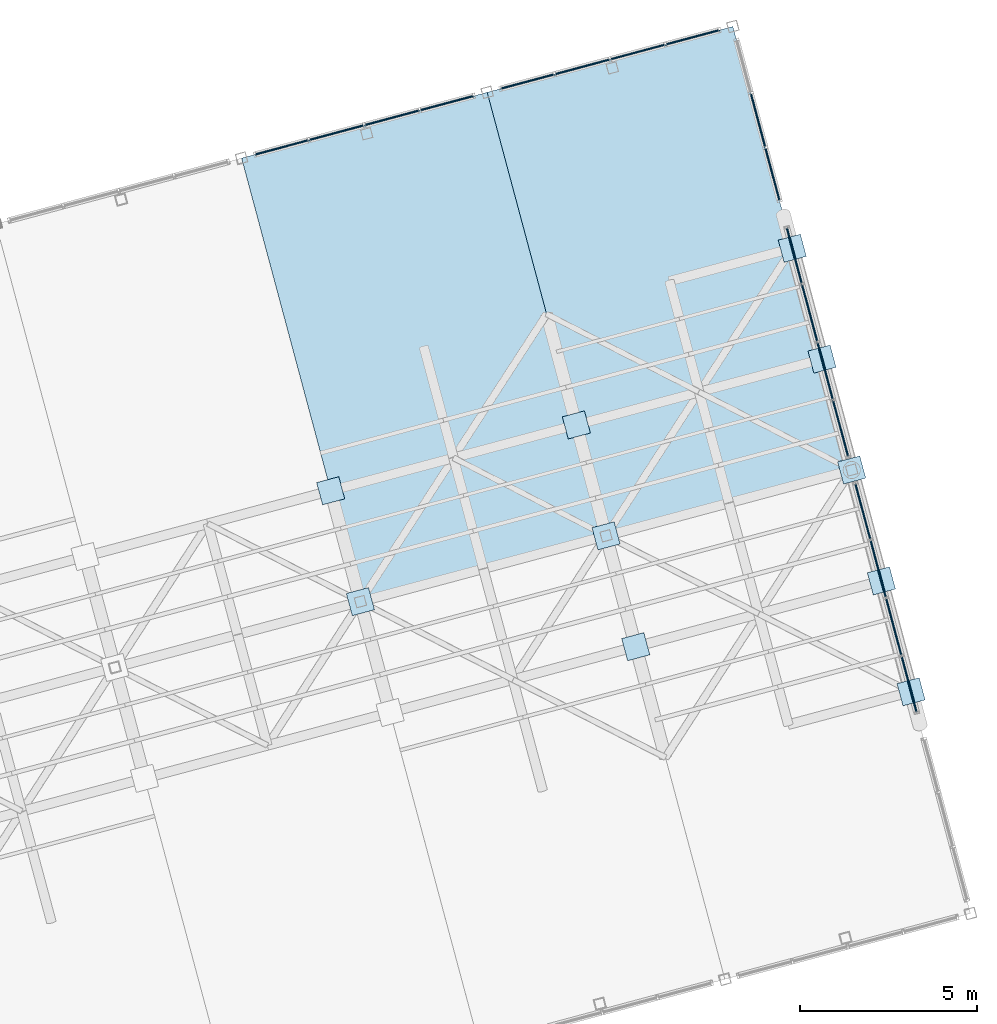
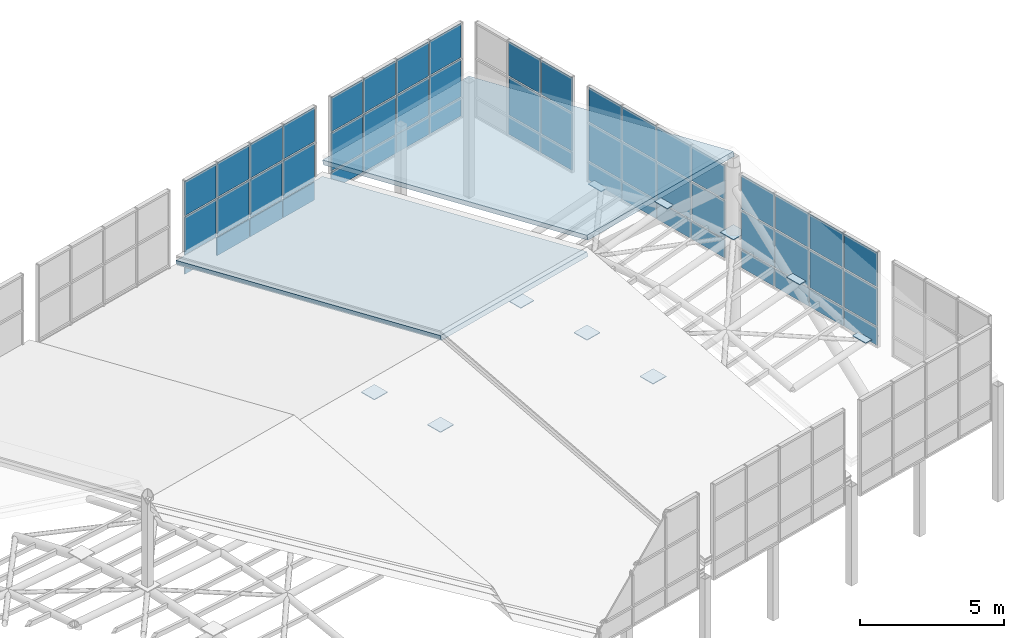
# One storey, part 26 of 28: 64 plates, 2 slabs, 5 elements without a shape of their own.
"""IFC4 building model written with IfcOpenShell, lengths in metres."""

from ifc_helpers import new_model, si_unit, direction, frame, origin, origin_2d, place, context, subcontext, project, spatial, polyline, rectangle, outline, extrude, material, layer, layer_set, type_object, element, aggregate, save


model = new_model("IFC4")

# Units and contexts
model_context = context("Model", 3, precision=1e-05, world=origin(), true_north=direction((0.0, 1.0)))
body_context = subcontext(model_context, "Body", "Model", "MODEL_VIEW")
ifc_project = project(units=[si_unit("LENGTHUNIT", "METRE"), si_unit("AREAUNIT", "SQUARE_METRE"), si_unit("VOLUMEUNIT", "CUBIC_METRE"), si_unit("PLANEANGLEUNIT", "RADIAN"), si_unit("MASSUNIT", "GRAM", prefix="KILO")], contexts=[model_context])

# Site, building, storey
site_placement = place(None, origin())
site = spatial("IfcSite", under=ifc_project, at=site_placement, CompositionType="ELEMENT")
building_placement = place(site_placement, origin())
building = spatial("IfcBuilding", under=site, at=building_placement, Name="Ventoquebrada Cableway Terminal", CompositionType="ELEMENT")
storey_placement = place(building_placement, frame((0.0, 0.0, 23.39990234375)))
storey = spatial("IfcBuildingStorey", under=building, at=storey_placement, Name="RF", CompositionType="ELEMENT", Elevation=23.39990234375)

# Curtain wall, plates
ifc_material_1 = material(Name="Anodized thermally-broken aluminium", Category="aluminium")
ifc_layer_1 = layer(ifc_material_1, 0.159912109375)
ifc_layer_set_1 = layer_set([ifc_layer_1], Name="Anodized thermally-broken aluminium")
curtain_wall_type_1 = type_object("IfcCurtainWallType", Name="CW-T48", PredefinedType="USERDEFINED", material=ifc_layer_set_1)
curtain_wall_1_placement = place(storey_placement, origin())
curtain_wall_1 = element("IfcCurtainWall", 1, at=curtain_wall_1_placement, inside=storey, type_object=curtain_wall_type_1, Name="Unitised glazed curtain wall CW-159", ObjectType="UNITISED CURTAIN WALL", PredefinedType="USERDEFINED")
ifc_material_2 = material(Name="Double low-e laminated safety glazing", Category="glass")
ifc_layer_2 = layer(ifc_material_2, 0.031982421875)
ifc_layer_set_2 = layer_set([ifc_layer_2], Name="Double low-e laminated safety glazing")
plate_type_1 = type_object("IfcPlateType", Name="CWP-GL1", PredefinedType="CURTAIN_PANEL", material=ifc_layer_set_2)
plate_1_placement = place(storey_placement, frame((71.927978515625, 102.047119140625, 2.48876953125), z_axis=(0.0, 0.0, 1.0), x_axis=(-0.965894198369, -0.258937053273, 0.0)))
plate_1 = element("IfcPlate", 2, at=plate_1_placement, type_object=plate_type_1, Name="Vision glazing panel PN-1641", PredefinedType="CURTAIN_PANEL", context=body_context, shape_type="SweptSolid", body=[
    extrude(rectangle(XDim=1.5458984375, YDim=0.031982421875, at=origin_2d()), origin(), (0.0, 0.0, 1.0), 1.447021484375),
])
plate_2_placement = place(storey_placement, frame((70.375, 101.631103515625, 0.82470703125), z_axis=(0.0, 0.0, 1.0), x_axis=(-0.965894198369, -0.258937053273, 0.0)))
plate_2 = element("IfcPlate", 3, at=plate_2_placement, type_object=plate_type_1, Name="Vision glazing panel PN-1643", PredefinedType="CURTAIN_PANEL", context=body_context, shape_type="SweptSolid", body=[
    extrude(rectangle(XDim=1.5810546875, YDim=0.031982421875, at=origin_2d()), origin(), (0.0, 0.0, 1.0), 1.60498046875),
])
plate_3_placement = place(storey_placement, frame((68.804931640625, 101.2099609375, 2.48876953125), z_axis=(0.0, 0.0, 1.0), x_axis=(-0.965894198369, -0.258937053273, 0.0)))
plate_3 = element("IfcPlate", 4, at=plate_3_placement, type_object=plate_type_1, Name="Vision glazing panel PN-1647", PredefinedType="CURTAIN_PANEL", context=body_context, shape_type="SweptSolid", body=[
    extrude(rectangle(XDim=1.5810546875, YDim=0.031982421875, at=origin_2d()), origin(), (0.0, 0.0, 1.0), 1.447021484375),
])
plate_4_placement = place(storey_placement, frame((67.251953125, 100.7939453125, 0.82470703125), z_axis=(0.0, 0.0, 1.0), x_axis=(-0.965894198369, -0.258937053273, 0.0)))
plate_4 = element("IfcPlate", 5, at=plate_4_placement, type_object=plate_type_1, Name="Vision glazing panel PN-1649", PredefinedType="CURTAIN_PANEL", context=body_context, shape_type="SweptSolid", body=[
    extrude(rectangle(XDim=1.5458984375, YDim=0.031982421875, at=origin_2d()), origin(), (0.0, 0.0, 1.0), 1.60498046875),
])

curtain_wall_2_placement = place(storey_placement, origin())
curtain_wall_2 = element("IfcCurtainWall", 6, at=curtain_wall_2_placement, inside=storey, type_object=curtain_wall_type_1, Name="Unitised glazed curtain wall CW-160", ObjectType="UNITISED CURTAIN WALL", PredefinedType="USERDEFINED")
plate_5_placement = place(storey_placement, frame((78.882080078125, 103.909912109375, 2.48876953125), z_axis=(0.0, 0.0, 1.0), x_axis=(-0.965943892913, -0.258751610128, 0.0)))
plate_5 = element("IfcPlate", 7, at=plate_5_placement, type_object=plate_type_1, Name="Vision glazing panel PN-1653", PredefinedType="CURTAIN_PANEL", context=body_context, shape_type="SweptSolid", body=[
    extrude(rectangle(XDim=1.5458984375, YDim=0.031982421875, at=origin_2d()), origin(), (0.0, 0.0, 1.0), 1.447021484375),
])
plate_6_placement = place(storey_placement, frame((77.3291015625, 103.493896484375, 0.82470703125), z_axis=(0.0, 0.0, 1.0), x_axis=(-0.965943892913, -0.258751610128, 0.0)))
plate_6 = element("IfcPlate", 8, at=plate_6_placement, type_object=plate_type_1, Name="Vision glazing panel PN-1655", PredefinedType="CURTAIN_PANEL", context=body_context, shape_type="SweptSolid", body=[
    extrude(rectangle(XDim=1.5810546875, YDim=0.031982421875, at=origin_2d()), origin(), (0.0, 0.0, 1.0), 1.60498046875),
])
plate_7_placement = place(storey_placement, frame((75.760009765625, 103.073974609375, 2.48876953125), z_axis=(0.0, 0.0, 1.0), x_axis=(-0.965943892913, -0.258751610128, 0.0)))
plate_7 = element("IfcPlate", 9, at=plate_7_placement, type_object=plate_type_1, Name="Vision glazing panel PN-1659", PredefinedType="CURTAIN_PANEL", context=body_context, shape_type="SweptSolid", body=[
    extrude(rectangle(XDim=1.5810546875, YDim=0.031982421875, at=origin_2d()), origin(), (0.0, 0.0, 1.0), 1.447021484375),
])
plate_8_placement = place(storey_placement, frame((74.20703125, 102.657958984375, 0.82470703125), z_axis=(0.0, 0.0, 1.0), x_axis=(-0.965943892913, -0.258751610128, 0.0)))
plate_8 = element("IfcPlate", 10, at=plate_8_placement, type_object=plate_type_1, Name="Vision glazing panel PN-1661", PredefinedType="CURTAIN_PANEL", context=body_context, shape_type="SweptSolid", body=[
    extrude(rectangle(XDim=1.5458984375, YDim=0.031982421875, at=origin_2d()), origin(), (0.0, 0.0, 1.0), 1.60498046875),
])

ifc_layer_3 = layer(ifc_material_1, 0.159912109375)
ifc_layer_set_3 = layer_set([ifc_layer_3], Name="Anodized thermally-broken aluminium")
curtain_wall_type_2 = type_object("IfcCurtainWallType", Name="CW-T50", PredefinedType="USERDEFINED", material=ifc_layer_set_3)
curtain_wall_3_placement = place(storey_placement, origin())
curtain_wall_3 = element("IfcCurtainWall", 11, at=curtain_wall_3_placement, inside=storey, type_object=curtain_wall_type_2, Name="Unitised glazed curtain wall CW-166", ObjectType="UNITISED CURTAIN WALL", PredefinedType="USERDEFINED")
plate_9_placement = place(storey_placement, frame((85.011962890625, 85.590087890625, 2.48876953125), z_axis=(0.0, 0.0, 1.0), x_axis=(-0.258802186477, 0.965930343386, 0.0)))
plate_9 = element("IfcPlate", 12, at=plate_9_placement, type_object=plate_type_1, Name="Vision glazing panel PN-1716", PredefinedType="CURTAIN_PANEL", context=body_context, shape_type="SweptSolid", body=[
    extrude(rectangle(XDim=1.62109375, YDim=0.031982421875, at=origin_2d()), origin(), (0.0, 0.0, 1.0), 1.447021484375),
])
plate_10_placement = place(storey_placement, frame((84.576904296875, 87.215087890625, 0.82470703125), z_axis=(0.0, 0.0, 1.0), x_axis=(-0.258802186477, 0.965930343386, 0.0)))
plate_10 = element("IfcPlate", 13, at=plate_10_placement, type_object=plate_type_1, Name="Vision glazing panel PN-1718", PredefinedType="CURTAIN_PANEL", context=body_context, shape_type="SweptSolid", body=[
    extrude(rectangle(XDim=1.656005859375, YDim=0.031982421875, at=origin_2d()), origin(), (0.0, 0.0, 1.0), 1.60498046875),
])
plate_11_placement = place(storey_placement, frame((84.136962890625, 88.85791015625, 2.48876953125), z_axis=(0.0, 0.0, 1.0), x_axis=(-0.258802186477, 0.965930343386, 0.0)))
plate_11 = element("IfcPlate", 14, at=plate_11_placement, type_object=plate_type_1, Name="Vision glazing panel PN-1722", PredefinedType="CURTAIN_PANEL", context=body_context, shape_type="SweptSolid", body=[
    extrude(rectangle(XDim=1.656005859375, YDim=0.031982421875, at=origin_2d()), origin(), (0.0, 0.0, 1.0), 1.447021484375),
])
plate_12_placement = place(storey_placement, frame((83.701904296875, 90.48291015625, 0.82470703125), z_axis=(0.0, 0.0, 1.0), x_axis=(-0.258802186477, 0.965930343386, 0.0)))
plate_12 = element("IfcPlate", 15, at=plate_12_placement, type_object=plate_type_1, Name="Vision glazing panel PN-1724", PredefinedType="CURTAIN_PANEL", context=body_context, shape_type="SweptSolid", body=[
    extrude(rectangle(XDim=1.62109375, YDim=0.031982421875, at=origin_2d()), origin(), (0.0, 0.0, 1.0), 1.60498046875),
])

curtain_wall_4_placement = place(storey_placement, origin())
curtain_wall_4 = element("IfcCurtainWall", 16, at=curtain_wall_4_placement, inside=storey, type_object=curtain_wall_type_2, Name="Unitised glazed curtain wall CW-167", ObjectType="UNITISED CURTAIN WALL", PredefinedType="USERDEFINED")
plate_13_placement = place(storey_placement, frame((83.071044921875, 92.8349609375, 2.48876953125), z_axis=(0.0, 0.0, 1.0), x_axis=(-0.258835903649, 0.965921308897, 0.0)))
plate_13 = element("IfcPlate", 17, at=plate_13_placement, type_object=plate_type_1, Name="Vision glazing panel PN-1728", PredefinedType="CURTAIN_PANEL", context=body_context, shape_type="SweptSolid", body=[
    extrude(rectangle(XDim=1.62109375, YDim=0.031982421875, at=origin_2d()), origin(), (0.0, 0.0, 1.0), 1.447021484375),
])
plate_14_placement = place(storey_placement, frame((82.635986328125, 94.4599609375, 0.82470703125), z_axis=(0.0, 0.0, 1.0), x_axis=(-0.258835903649, 0.965921308897, 0.0)))
plate_14 = element("IfcPlate", 18, at=plate_14_placement, type_object=plate_type_1, Name="Vision glazing panel PN-1730", PredefinedType="CURTAIN_PANEL", context=body_context, shape_type="SweptSolid", body=[
    extrude(rectangle(XDim=1.656005859375, YDim=0.031982421875, at=origin_2d()), origin(), (0.0, 0.0, 1.0), 1.60498046875),
])
plate_15_placement = place(storey_placement, frame((82.196044921875, 96.10205078125, 2.48876953125), z_axis=(0.0, 0.0, 1.0), x_axis=(-0.258835903649, 0.965921308897, 0.0)))
plate_15 = element("IfcPlate", 19, at=plate_15_placement, type_object=plate_type_1, Name="Vision glazing panel PN-1734", PredefinedType="CURTAIN_PANEL", context=body_context, shape_type="SweptSolid", body=[
    extrude(rectangle(XDim=1.656005859375, YDim=0.031982421875, at=origin_2d()), origin(), (0.0, 0.0, 1.0), 1.447021484375),
])
plate_16_placement = place(storey_placement, frame((81.760986328125, 97.72705078125, 0.82470703125), z_axis=(0.0, 0.0, 1.0), x_axis=(-0.258835903649, 0.965921308897, 0.0)))
plate_16 = element("IfcPlate", 20, at=plate_16_placement, type_object=plate_type_1, Name="Vision glazing panel PN-1736", PredefinedType="CURTAIN_PANEL", context=body_context, shape_type="SweptSolid", body=[
    extrude(rectangle(XDim=1.62109375, YDim=0.031982421875, at=origin_2d()), origin(), (0.0, 0.0, 1.0), 1.60498046875),
])

ifc_layer_4 = layer(ifc_material_1, 0.159912109375)
ifc_layer_set_4 = layer_set([ifc_layer_4], Name="Anodized thermally-broken aluminium")
curtain_wall_type_3 = type_object("IfcCurtainWallType", Name="CW-T49", PredefinedType="USERDEFINED", material=ifc_layer_set_4)
curtain_wall_5_placement = place(storey_placement, origin())
curtain_wall_5 = element("IfcCurtainWall", 21, at=curtain_wall_5_placement, inside=storey, type_object=curtain_wall_type_3, Name="Unitised glazed curtain wall CW-168", ObjectType="UNITISED CURTAIN WALL", PredefinedType="USERDEFINED")
plate_17_placement = place(storey_placement, frame((81.14306640625, 100.031005859375, 2.48876953125), z_axis=(0.0, 0.0, 1.0), x_axis=(-0.258717892168, 0.96595292446, 0.0)))
plate_17 = element("IfcPlate", 22, at=plate_17_placement, type_object=plate_type_1, Name="Vision glazing panel PN-1740", PredefinedType="CURTAIN_PANEL", context=body_context, shape_type="SweptSolid", body=[
    extrude(rectangle(XDim=1.52099609375, YDim=0.031982421875, at=origin_2d()), origin(), (0.0, 0.0, 1.0), 1.447021484375),
])
plate_18_placement = place(storey_placement, frame((80.73388671875, 101.56005859375, 0.82470703125), z_axis=(0.0, 0.0, 1.0), x_axis=(-0.258717892168, 0.96595292446, 0.0)))
plate_18 = element("IfcPlate", 23, at=plate_18_placement, type_object=plate_type_1, Name="Vision glazing panel PN-1742", PredefinedType="CURTAIN_PANEL", context=body_context, shape_type="SweptSolid", body=[
    extrude(rectangle(XDim=1.555908203125, YDim=0.031982421875, at=origin_2d()), origin(), (0.0, 0.0, 1.0), 1.60498046875),
])

# Plate
ifc_layer_5 = layer(ifc_material_2, 0.0380859375)
ifc_layer_set_5 = layer_set([ifc_layer_5], Name="Double low-e laminated safety glazing")
plate_type_2 = type_object("IfcPlateType", Name="CWP-GL2", PredefinedType="CURTAIN_PANEL", material=ifc_layer_set_5)
plate_19_placement = place(storey_placement, frame((71.927978515625, 102.047119140625, 0.82470703125), z_axis=(0.0, 0.0, 1.0), x_axis=(-0.965894198369, -0.258937053273, 0.0)))
plate_19 = element("IfcPlate", 24, at=plate_19_placement, type_object=plate_type_2, Name="Vision glazing panel PN-1640", PredefinedType="CURTAIN_PANEL", context=body_context, shape_type="SweptSolid", body=[
    extrude(rectangle(XDim=1.5458984375, YDim=0.0380859375, at=origin_2d()), origin(), (0.0, 0.0, 1.0), 1.60498046875),
])

plate_20_placement = place(storey_placement, frame((70.375, 101.631103515625, 2.48876953125), z_axis=(0.0, 0.0, 1.0), x_axis=(-0.965894198369, -0.258937053273, 0.0)))
plate_20 = element("IfcPlate", 25, at=plate_20_placement, type_object=plate_type_2, Name="Vision glazing panel PN-1644", PredefinedType="CURTAIN_PANEL", context=body_context, shape_type="SweptSolid", body=[
    extrude(rectangle(XDim=1.5810546875, YDim=0.0380859375, at=origin_2d()), origin(), (0.0, 0.0, 1.0), 1.447021484375),
])

plate_21_placement = place(storey_placement, frame((68.804931640625, 101.2099609375, 0.82470703125), z_axis=(0.0, 0.0, 1.0), x_axis=(-0.965894198369, -0.258937053273, 0.0)))
plate_21 = element("IfcPlate", 26, at=plate_21_placement, type_object=plate_type_2, Name="Vision glazing panel PN-1646", PredefinedType="CURTAIN_PANEL", context=body_context, shape_type="SweptSolid", body=[
    extrude(rectangle(XDim=1.5810546875, YDim=0.0380859375, at=origin_2d()), origin(), (0.0, 0.0, 1.0), 1.60498046875),
])

plate_22_placement = place(storey_placement, frame((67.251953125, 100.7939453125, 2.48876953125), z_axis=(0.0, 0.0, 1.0), x_axis=(-0.965894198369, -0.258937053273, 0.0)))
plate_22 = element("IfcPlate", 27, at=plate_22_placement, type_object=plate_type_2, Name="Vision glazing panel PN-1650", PredefinedType="CURTAIN_PANEL", context=body_context, shape_type="SweptSolid", body=[
    extrude(rectangle(XDim=1.5458984375, YDim=0.0380859375, at=origin_2d()), origin(), (0.0, 0.0, 1.0), 1.447021484375),
])

plate_23_placement = place(storey_placement, frame((78.882080078125, 103.909912109375, 0.82470703125), z_axis=(0.0, 0.0, 1.0), x_axis=(-0.965943892913, -0.258751610128, 0.0)))
plate_23 = element("IfcPlate", 28, at=plate_23_placement, type_object=plate_type_2, Name="Vision glazing panel PN-1652", PredefinedType="CURTAIN_PANEL", context=body_context, shape_type="SweptSolid", body=[
    extrude(rectangle(XDim=1.5458984375, YDim=0.0380859375, at=origin_2d()), origin(), (0.0, 0.0, 1.0), 1.60498046875),
])

plate_24_placement = place(storey_placement, frame((77.3291015625, 103.493896484375, 2.48876953125), z_axis=(0.0, 0.0, 1.0), x_axis=(-0.965943892913, -0.258751610128, 0.0)))
plate_24 = element("IfcPlate", 29, at=plate_24_placement, type_object=plate_type_2, Name="Vision glazing panel PN-1656", PredefinedType="CURTAIN_PANEL", context=body_context, shape_type="SweptSolid", body=[
    extrude(rectangle(XDim=1.5810546875, YDim=0.0380859375, at=origin_2d()), origin(), (0.0, 0.0, 1.0), 1.447021484375),
])

plate_25_placement = place(storey_placement, frame((75.760009765625, 103.073974609375, 0.82470703125), z_axis=(0.0, 0.0, 1.0), x_axis=(-0.965943892913, -0.258751610128, 0.0)))
plate_25 = element("IfcPlate", 30, at=plate_25_placement, type_object=plate_type_2, Name="Vision glazing panel PN-1658", PredefinedType="CURTAIN_PANEL", context=body_context, shape_type="SweptSolid", body=[
    extrude(rectangle(XDim=1.5810546875, YDim=0.0380859375, at=origin_2d()), origin(), (0.0, 0.0, 1.0), 1.60498046875),
])

plate_26_placement = place(storey_placement, frame((74.20703125, 102.657958984375, 2.48876953125), z_axis=(0.0, 0.0, 1.0), x_axis=(-0.965943892913, -0.258751610128, 0.0)))
plate_26 = element("IfcPlate", 31, at=plate_26_placement, type_object=plate_type_2, Name="Vision glazing panel PN-1662", PredefinedType="CURTAIN_PANEL", context=body_context, shape_type="SweptSolid", body=[
    extrude(rectangle(XDim=1.5458984375, YDim=0.0380859375, at=origin_2d()), origin(), (0.0, 0.0, 1.0), 1.447021484375),
])

plate_27_placement = place(storey_placement, frame((85.011962890625, 85.590087890625, 0.82470703125), z_axis=(0.0, 0.0, 1.0), x_axis=(-0.258802186477, 0.965930343386, 0.0)))
plate_27 = element("IfcPlate", 32, at=plate_27_placement, type_object=plate_type_2, Name="Vision glazing panel PN-1715", PredefinedType="CURTAIN_PANEL", context=body_context, shape_type="SweptSolid", body=[
    extrude(rectangle(XDim=1.62109375, YDim=0.0380859375, at=origin_2d()), origin(), (0.0, 0.0, 1.0), 1.60498046875),
])

plate_28_placement = place(storey_placement, frame((84.576904296875, 87.215087890625, 2.48876953125), z_axis=(0.0, 0.0, 1.0), x_axis=(-0.258802186477, 0.965930343386, 0.0)))
plate_28 = element("IfcPlate", 33, at=plate_28_placement, type_object=plate_type_2, Name="Vision glazing panel PN-1719", PredefinedType="CURTAIN_PANEL", context=body_context, shape_type="SweptSolid", body=[
    extrude(rectangle(XDim=1.656005859375, YDim=0.0380859375, at=origin_2d()), origin(), (0.0, 0.0, 1.0), 1.447021484375),
])

plate_29_placement = place(storey_placement, frame((84.136962890625, 88.85791015625, 0.82470703125), z_axis=(0.0, 0.0, 1.0), x_axis=(-0.258802186477, 0.965930343386, 0.0)))
plate_29 = element("IfcPlate", 34, at=plate_29_placement, type_object=plate_type_2, Name="Vision glazing panel PN-1721", PredefinedType="CURTAIN_PANEL", context=body_context, shape_type="SweptSolid", body=[
    extrude(rectangle(XDim=1.656005859375, YDim=0.0380859375, at=origin_2d()), origin(), (0.0, 0.0, 1.0), 1.60498046875),
])

plate_30_placement = place(storey_placement, frame((83.701904296875, 90.48291015625, 2.48876953125), z_axis=(0.0, 0.0, 1.0), x_axis=(-0.258802186477, 0.965930343386, 0.0)))
plate_30 = element("IfcPlate", 35, at=plate_30_placement, type_object=plate_type_2, Name="Vision glazing panel PN-1725", PredefinedType="CURTAIN_PANEL", context=body_context, shape_type="SweptSolid", body=[
    extrude(rectangle(XDim=1.62109375, YDim=0.0380859375, at=origin_2d()), origin(), (0.0, 0.0, 1.0), 1.447021484375),
])

plate_31_placement = place(storey_placement, frame((83.071044921875, 92.8349609375, 0.82470703125), z_axis=(0.0, 0.0, 1.0), x_axis=(-0.258835903649, 0.965921308897, 0.0)))
plate_31 = element("IfcPlate", 36, at=plate_31_placement, type_object=plate_type_2, Name="Vision glazing panel PN-1727", PredefinedType="CURTAIN_PANEL", context=body_context, shape_type="SweptSolid", body=[
    extrude(rectangle(XDim=1.62109375, YDim=0.0380859375, at=origin_2d()), origin(), (0.0, 0.0, 1.0), 1.60498046875),
])

plate_32_placement = place(storey_placement, frame((82.635986328125, 94.4599609375, 2.48876953125), z_axis=(0.0, 0.0, 1.0), x_axis=(-0.258835903649, 0.965921308897, 0.0)))
plate_32 = element("IfcPlate", 37, at=plate_32_placement, type_object=plate_type_2, Name="Vision glazing panel PN-1731", PredefinedType="CURTAIN_PANEL", context=body_context, shape_type="SweptSolid", body=[
    extrude(rectangle(XDim=1.656005859375, YDim=0.0380859375, at=origin_2d()), origin(), (0.0, 0.0, 1.0), 1.447021484375),
])

plate_33_placement = place(storey_placement, frame((82.196044921875, 96.10205078125, 0.82470703125), z_axis=(0.0, 0.0, 1.0), x_axis=(-0.258835903649, 0.965921308897, 0.0)))
plate_33 = element("IfcPlate", 38, at=plate_33_placement, type_object=plate_type_2, Name="Vision glazing panel PN-1733", PredefinedType="CURTAIN_PANEL", context=body_context, shape_type="SweptSolid", body=[
    extrude(rectangle(XDim=1.656005859375, YDim=0.0380859375, at=origin_2d()), origin(), (0.0, 0.0, 1.0), 1.60498046875),
])

plate_34_placement = place(storey_placement, frame((81.760986328125, 97.72705078125, 2.48876953125), z_axis=(0.0, 0.0, 1.0), x_axis=(-0.258835903649, 0.965921308897, 0.0)))
plate_34 = element("IfcPlate", 39, at=plate_34_placement, type_object=plate_type_2, Name="Vision glazing panel PN-1737", PredefinedType="CURTAIN_PANEL", context=body_context, shape_type="SweptSolid", body=[
    extrude(rectangle(XDim=1.62109375, YDim=0.0380859375, at=origin_2d()), origin(), (0.0, 0.0, 1.0), 1.447021484375),
])

plate_35_placement = place(storey_placement, frame((81.14306640625, 100.031005859375, 0.82470703125), z_axis=(0.0, 0.0, 1.0), x_axis=(-0.258717892168, 0.96595292446, 0.0)))
plate_35 = element("IfcPlate", 40, at=plate_35_placement, type_object=plate_type_2, Name="Vision glazing panel PN-1739", PredefinedType="CURTAIN_PANEL", context=body_context, shape_type="SweptSolid", body=[
    extrude(rectangle(XDim=1.52099609375, YDim=0.0380859375, at=origin_2d()), origin(), (0.0, 0.0, 1.0), 1.60498046875),
])

plate_36_placement = place(storey_placement, frame((80.73388671875, 101.56005859375, 2.48876953125), z_axis=(0.0, 0.0, 1.0), x_axis=(-0.258717892168, 0.96595292446, 0.0)))
plate_36 = element("IfcPlate", 41, at=plate_36_placement, type_object=plate_type_2, Name="Vision glazing panel PN-1743", PredefinedType="CURTAIN_PANEL", context=body_context, shape_type="SweptSolid", body=[
    extrude(rectangle(XDim=1.555908203125, YDim=0.0380859375, at=origin_2d()), origin(), (0.0, 0.0, 1.0), 1.447021484375),
])

ifc_material_3 = material(Name="Insulated aluminium spandrel cassette", Category="aluminium")
ifc_layer_6 = layer(ifc_material_3, 0.044921875)
ifc_layer_set_6 = layer_set([ifc_layer_6], Name="Insulated aluminium spandrel cassette")
plate_type_3 = type_object("IfcPlateType", Name="CWP-SP1", PredefinedType="CURTAIN_PANEL", material=ifc_layer_set_6)
plate_37_placement = place(storey_placement, frame((71.927978515625, 102.047119140625, 0.01025390625), z_axis=(0.0, 0.0, 1.0), x_axis=(-0.965894198369, -0.258937053273, 0.0)))
plate_37 = element("IfcPlate", 42, at=plate_37_placement, type_object=plate_type_3, Name="Insulated spandrel panel PN-1639", PredefinedType="CURTAIN_PANEL", context=body_context, shape_type="SweptSolid", body=[
    extrude(rectangle(XDim=1.5458984375, YDim=0.044921875, at=origin_2d()), origin(), (0.0, 0.0, 1.0), 0.756103515625),
])

plate_38_placement = place(storey_placement, frame((70.375, 101.631103515625, 0.01025390625), z_axis=(0.0, 0.0, 1.0), x_axis=(-0.965894198369, -0.258937053273, 0.0)))
plate_38 = element("IfcPlate", 43, at=plate_38_placement, type_object=plate_type_3, Name="Insulated spandrel panel PN-1642", PredefinedType="CURTAIN_PANEL", context=body_context, shape_type="SweptSolid", body=[
    extrude(rectangle(XDim=1.5810546875, YDim=0.044921875, at=origin_2d()), origin(), (0.0, 0.0, 1.0), 0.756103515625),
])

plate_39_placement = place(storey_placement, frame((68.804931640625, 101.2099609375, 0.01025390625), z_axis=(0.0, 0.0, 1.0), x_axis=(-0.965894198369, -0.258937053273, 0.0)))
plate_39 = element("IfcPlate", 44, at=plate_39_placement, type_object=plate_type_3, Name="Insulated spandrel panel PN-1645", PredefinedType="CURTAIN_PANEL", context=body_context, shape_type="SweptSolid", body=[
    extrude(rectangle(XDim=1.5810546875, YDim=0.044921875, at=origin_2d()), origin(), (0.0, 0.0, 1.0), 0.756103515625),
])

plate_40_placement = place(storey_placement, frame((67.251953125, 100.7939453125, 0.01025390625), z_axis=(0.0, 0.0, 1.0), x_axis=(-0.965894198369, -0.258937053273, 0.0)))
plate_40 = element("IfcPlate", 45, at=plate_40_placement, type_object=plate_type_3, Name="Insulated spandrel panel PN-1648", PredefinedType="CURTAIN_PANEL", context=body_context, shape_type="SweptSolid", body=[
    extrude(rectangle(XDim=1.5458984375, YDim=0.044921875, at=origin_2d()), origin(), (0.0, 0.0, 1.0), 0.756103515625),
])

aggregate(curtain_wall_1, [plate_37, plate_19, plate_1, plate_38, plate_2, plate_20, plate_39, plate_21, plate_3, plate_40, plate_4, plate_22])

plate_41_placement = place(storey_placement, frame((78.882080078125, 103.909912109375, 0.01025390625), z_axis=(0.0, 0.0, 1.0), x_axis=(-0.965943892913, -0.258751610128, 0.0)))
plate_41 = element("IfcPlate", 46, at=plate_41_placement, type_object=plate_type_3, Name="Insulated spandrel panel PN-1651", PredefinedType="CURTAIN_PANEL", context=body_context, shape_type="SweptSolid", body=[
    extrude(rectangle(XDim=1.5458984375, YDim=0.044921875, at=origin_2d()), origin(), (0.0, 0.0, 1.0), 0.756103515625),
])

plate_42_placement = place(storey_placement, frame((77.3291015625, 103.493896484375, 0.01025390625), z_axis=(0.0, 0.0, 1.0), x_axis=(-0.965943892913, -0.258751610128, 0.0)))
plate_42 = element("IfcPlate", 47, at=plate_42_placement, type_object=plate_type_3, Name="Insulated spandrel panel PN-1654", PredefinedType="CURTAIN_PANEL", context=body_context, shape_type="SweptSolid", body=[
    extrude(rectangle(XDim=1.5810546875, YDim=0.044921875, at=origin_2d()), origin(), (0.0, 0.0, 1.0), 0.756103515625),
])

plate_43_placement = place(storey_placement, frame((75.760009765625, 103.073974609375, 0.01025390625), z_axis=(0.0, 0.0, 1.0), x_axis=(-0.965943892913, -0.258751610128, 0.0)))
plate_43 = element("IfcPlate", 48, at=plate_43_placement, type_object=plate_type_3, Name="Insulated spandrel panel PN-1657", PredefinedType="CURTAIN_PANEL", context=body_context, shape_type="SweptSolid", body=[
    extrude(rectangle(XDim=1.5810546875, YDim=0.044921875, at=origin_2d()), origin(), (0.0, 0.0, 1.0), 0.756103515625),
])

plate_44_placement = place(storey_placement, frame((74.20703125, 102.657958984375, 0.01025390625), z_axis=(0.0, 0.0, 1.0), x_axis=(-0.965943892913, -0.258751610128, 0.0)))
plate_44 = element("IfcPlate", 49, at=plate_44_placement, type_object=plate_type_3, Name="Insulated spandrel panel PN-1660", PredefinedType="CURTAIN_PANEL", context=body_context, shape_type="SweptSolid", body=[
    extrude(rectangle(XDim=1.5458984375, YDim=0.044921875, at=origin_2d()), origin(), (0.0, 0.0, 1.0), 0.756103515625),
])

aggregate(curtain_wall_2, [plate_41, plate_23, plate_5, plate_42, plate_6, plate_24, plate_43, plate_25, plate_7, plate_44, plate_8, plate_26])

plate_45_placement = place(storey_placement, frame((85.011962890625, 85.590087890625, 0.01025390625), z_axis=(0.0, 0.0, 1.0), x_axis=(-0.258802186477, 0.965930343386, 0.0)))
plate_45 = element("IfcPlate", 50, at=plate_45_placement, type_object=plate_type_3, Name="Insulated spandrel panel PN-1714", PredefinedType="CURTAIN_PANEL", context=body_context, shape_type="SweptSolid", body=[
    extrude(rectangle(XDim=1.62109375, YDim=0.044921875, at=origin_2d()), origin(), (0.0, 0.0, 1.0), 0.756103515625),
])

plate_46_placement = place(storey_placement, frame((84.576904296875, 87.215087890625, 0.01025390625), z_axis=(0.0, 0.0, 1.0), x_axis=(-0.258802186477, 0.965930343386, 0.0)))
plate_46 = element("IfcPlate", 51, at=plate_46_placement, type_object=plate_type_3, Name="Insulated spandrel panel PN-1717", PredefinedType="CURTAIN_PANEL", context=body_context, shape_type="SweptSolid", body=[
    extrude(rectangle(XDim=1.656005859375, YDim=0.044921875, at=origin_2d()), origin(), (0.0, 0.0, 1.0), 0.756103515625),
])

plate_47_placement = place(storey_placement, frame((84.136962890625, 88.85791015625, 0.01025390625), z_axis=(0.0, 0.0, 1.0), x_axis=(-0.258802186477, 0.965930343386, 0.0)))
plate_47 = element("IfcPlate", 52, at=plate_47_placement, type_object=plate_type_3, Name="Insulated spandrel panel PN-1720", PredefinedType="CURTAIN_PANEL", context=body_context, shape_type="SweptSolid", body=[
    extrude(rectangle(XDim=1.656005859375, YDim=0.044921875, at=origin_2d()), origin(), (0.0, 0.0, 1.0), 0.756103515625),
])

plate_48_placement = place(storey_placement, frame((83.701904296875, 90.48291015625, 0.01025390625), z_axis=(0.0, 0.0, 1.0), x_axis=(-0.258802186477, 0.965930343386, 0.0)))
plate_48 = element("IfcPlate", 53, at=plate_48_placement, type_object=plate_type_3, Name="Insulated spandrel panel PN-1723", PredefinedType="CURTAIN_PANEL", context=body_context, shape_type="SweptSolid", body=[
    extrude(rectangle(XDim=1.62109375, YDim=0.044921875, at=origin_2d()), origin(), (0.0, 0.0, 1.0), 0.756103515625),
])

aggregate(curtain_wall_3, [plate_45, plate_27, plate_9, plate_46, plate_10, plate_28, plate_47, plate_29, plate_11, plate_48, plate_12, plate_30])

plate_49_placement = place(storey_placement, frame((83.071044921875, 92.8349609375, 0.01025390625), z_axis=(0.0, 0.0, 1.0), x_axis=(-0.258835903649, 0.965921308897, 0.0)))
plate_49 = element("IfcPlate", 54, at=plate_49_placement, type_object=plate_type_3, Name="Insulated spandrel panel PN-1726", PredefinedType="CURTAIN_PANEL", context=body_context, shape_type="SweptSolid", body=[
    extrude(rectangle(XDim=1.62109375, YDim=0.044921875, at=origin_2d()), origin(), (0.0, 0.0, 1.0), 0.756103515625),
])

plate_50_placement = place(storey_placement, frame((82.635986328125, 94.4599609375, 0.01025390625), z_axis=(0.0, 0.0, 1.0), x_axis=(-0.258835903649, 0.965921308897, 0.0)))
plate_50 = element("IfcPlate", 55, at=plate_50_placement, type_object=plate_type_3, Name="Insulated spandrel panel PN-1729", PredefinedType="CURTAIN_PANEL", context=body_context, shape_type="SweptSolid", body=[
    extrude(rectangle(XDim=1.656005859375, YDim=0.044921875, at=origin_2d()), origin(), (0.0, 0.0, 1.0), 0.756103515625),
])

plate_51_placement = place(storey_placement, frame((82.196044921875, 96.10205078125, 0.01025390625), z_axis=(0.0, 0.0, 1.0), x_axis=(-0.258835903649, 0.965921308897, 0.0)))
plate_51 = element("IfcPlate", 56, at=plate_51_placement, type_object=plate_type_3, Name="Insulated spandrel panel PN-1732", PredefinedType="CURTAIN_PANEL", context=body_context, shape_type="SweptSolid", body=[
    extrude(rectangle(XDim=1.656005859375, YDim=0.044921875, at=origin_2d()), origin(), (0.0, 0.0, 1.0), 0.756103515625),
])

plate_52_placement = place(storey_placement, frame((81.760986328125, 97.72705078125, 0.01025390625), z_axis=(0.0, 0.0, 1.0), x_axis=(-0.258835903649, 0.965921308897, 0.0)))
plate_52 = element("IfcPlate", 57, at=plate_52_placement, type_object=plate_type_3, Name="Insulated spandrel panel PN-1735", PredefinedType="CURTAIN_PANEL", context=body_context, shape_type="SweptSolid", body=[
    extrude(rectangle(XDim=1.62109375, YDim=0.044921875, at=origin_2d()), origin(), (0.0, 0.0, 1.0), 0.756103515625),
])

aggregate(curtain_wall_4, [plate_49, plate_31, plate_13, plate_50, plate_14, plate_32, plate_51, plate_33, plate_15, plate_52, plate_16, plate_34])

plate_53_placement = place(storey_placement, frame((81.14306640625, 100.031005859375, 0.01025390625), z_axis=(0.0, 0.0, 1.0), x_axis=(-0.258717892168, 0.96595292446, 0.0)))
plate_53 = element("IfcPlate", 58, at=plate_53_placement, type_object=plate_type_3, Name="Insulated spandrel panel PN-1738", PredefinedType="CURTAIN_PANEL", context=body_context, shape_type="SweptSolid", body=[
    extrude(rectangle(XDim=1.52099609375, YDim=0.044921875, at=origin_2d()), origin(), (0.0, 0.0, 1.0), 0.756103515625),
])

plate_54_placement = place(storey_placement, frame((80.73388671875, 101.56005859375, 0.01025390625), z_axis=(0.0, 0.0, 1.0), x_axis=(-0.258717892168, 0.96595292446, 0.0)))
plate_54 = element("IfcPlate", 59, at=plate_54_placement, type_object=plate_type_3, Name="Insulated spandrel panel PN-1741", PredefinedType="CURTAIN_PANEL", context=body_context, shape_type="SweptSolid", body=[
    extrude(rectangle(XDim=1.555908203125, YDim=0.044921875, at=origin_2d()), origin(), (0.0, 0.0, 1.0), 0.756103515625),
])

aggregate(curtain_wall_5, [plate_53, plate_35, plate_17, plate_54, plate_18, plate_36])

# Plates
ifc_material_4 = material(Name="Steel ASTM A572 Grade 50", Category="steel")
ifc_layer_7 = layer(ifc_material_4, 0.030029296875)
ifc_layer_set_7 = layer_set([ifc_layer_7], Name="Steel ASTM A572 Grade 50")
plate_type_4 = type_object("IfcPlateType", Name="ND-PL01", PredefinedType="SHEET", material=ifc_layer_set_7)
for number, where, z_axis, x_axis, name in (
    (60, (69.47705078125, 87.931884765625, 0.23828125), (0.0, 0.0, 1.0), (0.965925826289, 0.258819045103, 0.0), "Gridshell welded node cap plate ND-025"),
    (61, (68.635986328125, 91.071044921875, 0.01123046875), (0.0, 0.0, 1.0), (0.965925826289, 0.258819045103, 0.0), "Gridshell welded node cap plate ND-026"),
    (62, (77.27294921875, 86.656005859375, 0.333984375), (0.0, 0.0, 1.0), (0.965925826289, 0.258819045103, 0.0), "Gridshell welded node cap plate ND-031"),
    (63, (76.431884765625, 89.794921875, 0.583984375), (0.0, 0.0, 1.0), (0.965925826289, 0.258819045103, 0.0), "Gridshell welded node cap plate ND-032"),
    (64, (75.591064453125, 92.93505859375, 0.333984375), (0.0, 0.0, 1.0), (0.965925826289, 0.258819045103, 0.0), "Gridshell welded node cap plate ND-033"),
    (65, (85.069091796875, 85.3798828125, 0.10498046875), (0.0, 0.0, 1.0), (0.965925826289, 0.258819045103, 0.0), "Gridshell welded node cap plate ND-037"),
    (66, (84.22802734375, 88.51904296875, 0.98193359375), (0.0, 0.0, 1.0), (0.965925826289, 0.258819045103, 0.0), "Gridshell welded node cap plate ND-038"),
    (67, (83.386962890625, 91.658935546875, 1.27490234375), (0.0, 0.0, 1.0), (0.965925826289, 0.258819045103, 0.0), "Gridshell welded node cap plate ND-039"),
    (68, (82.5458984375, 94.798095703125, 0.98193359375), (0.0, 0.0, 1.0), (0.965925826289, 0.258819045103, 0.0), "Gridshell welded node cap plate ND-040"),
    (69, (81.7041015625, 97.93701171875, 0.10498046875), (0.0, 0.0, 1.0), (0.965925826289, 0.258819045103, 0.0), "Gridshell welded node cap plate ND-041"),
):
    element("IfcPlate", number, at=place(storey_placement, frame(where, z_axis=z_axis, x_axis=x_axis)), inside=storey, type_object=plate_type_4, Name=name, PredefinedType="SHEET", context=body_context, shape_type="SweptSolid", body=[
        extrude(rectangle(XDim=0.64990234375, YDim=0.64990234375, at=origin_2d()), origin(), (0.0, 0.0, 1.0), 0.030029296875),
    ])

# Slabs
ifc_material_5 = material(Name="Concrete C45/55", Category="concrete")
ifc_layer_8 = layer(ifc_material_5, 0.260009765625)
ifc_layer_set_8 = layer_set([ifc_layer_8], Name="Concrete C45/55")
slab_type = type_object("IfcSlabType", Name="SL-RF3", PredefinedType="ROOF", material=ifc_layer_set_8)
slab_1_placement = place(storey_placement, frame((69.489013671875, 87.887451171875, 3.855712890625), z_axis=(-0.062596620047, 0.233660689562, 0.970301162172), x_axis=(0.965943094367, 0.258754591125, 4.119006e-06)))
element("IfcSlab", 70, at=slab_1_placement, inside=storey, type_object=slab_type, Name="Saddle gridshell structural roof deck SL-100", PredefinedType="ROOF", context=body_context, shape_type="SweptSolid", body=[
    extrude(outline(polyline([(0.0, 0.0), (7.200043265161091, -2.220446049250313e-16), (7.19885559193152, 13.398078594058283), (-0.00024436942647917563, 13.397833409568012), (0.0, 0.0)])), origin(), (0.0, 0.0, 1.0), 0.18994140625),
])
slab_2_placement = place(storey_placement, frame((76.44384765625, 89.75048828125, 4.546875), z_axis=(-0.062624947884, 0.233668567822, 0.970297437034), x_axis=(0.96591172503, 0.258871665986, 0.0)))
element("IfcSlab", 71, at=slab_2_placement, inside=storey, type_object=slab_type, Name="Saddle gridshell structural roof deck SL-102", PredefinedType="ROOF", context=body_context, shape_type="SweptSolid", body=[
    extrude(outline(polyline([(0.0, 0.0), (7.20053183409326, 0.0), (7.200933192058639, 13.398137699915607), (0.000401357965379678, 13.398137699915608), (0.0, 0.0)])), origin(), (0.0, 0.0, 1.0), 0.18994140625),
])

save(model, "model.ifc")
